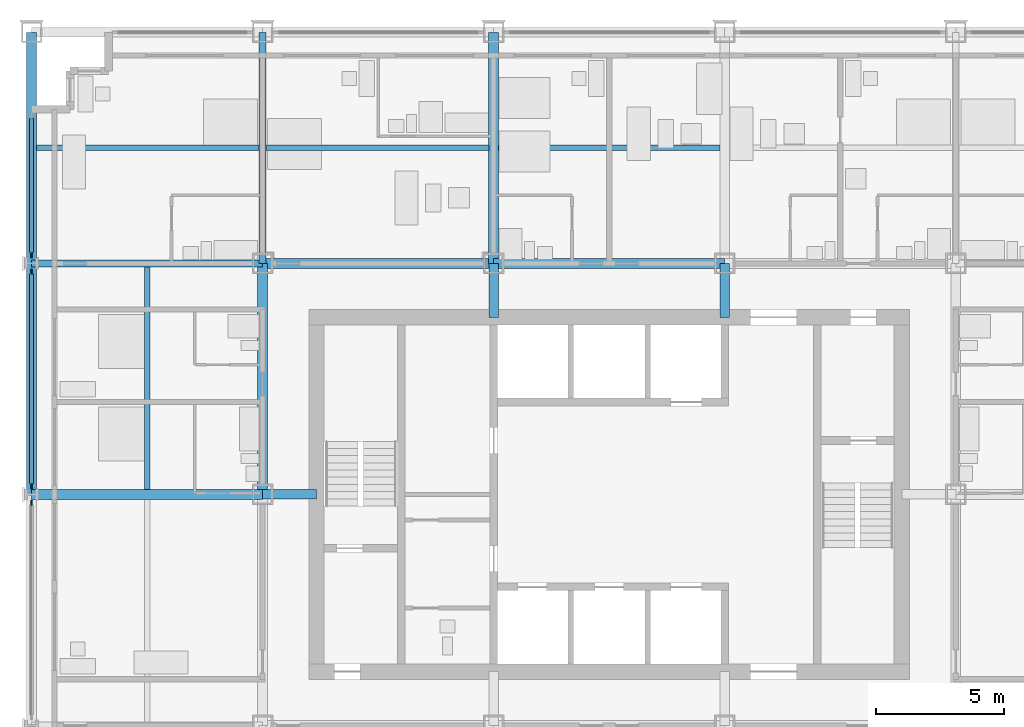
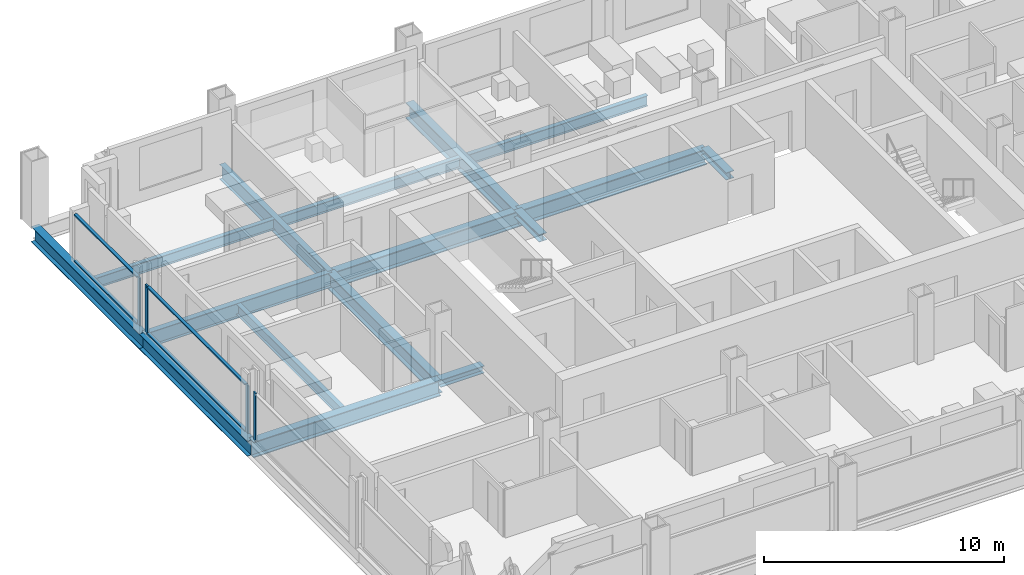
# One storey, part 4 of 16: 13 beams, 11 members, 3 elements without a shape of their own.
"""IFC4 building model written with IfcOpenShell, lengths in metres."""

from ifc_helpers import new_model, si_unit, direction, frame, origin, origin_2d, place, context, subcontext, project, spatial, rectangle, i_section, extrude, material, material_profile, profile_set, type_object, element, aggregate, save


model = new_model("IFC4")

# Units and contexts
model_context = context("Model", 3, precision=1e-05, world=origin(), true_north=direction((0.0, 1.0)))
body_context = subcontext(model_context, "Body", "Model", "MODEL_VIEW")
ifc_project = project(units=[si_unit("LENGTHUNIT", "METRE"), si_unit("AREAUNIT", "SQUARE_METRE"), si_unit("VOLUMEUNIT", "CUBIC_METRE"), si_unit("PLANEANGLEUNIT", "RADIAN"), si_unit("MASSUNIT", "GRAM", prefix="KILO")], contexts=[model_context])

# Site, building, storey
site_placement = place(None, origin())
site = spatial("IfcSite", under=ifc_project, at=site_placement, CompositionType="ELEMENT")
building_placement = place(site_placement, origin())
building = spatial("IfcBuilding", under=site, at=building_placement, Name="Loomwork Tower", CompositionType="ELEMENT")
storey_placement = place(building_placement, frame((0.0, 0.0, 148.60009765625)))
storey = spatial("IfcBuildingStorey", under=building, at=storey_placement, Name="L40", CompositionType="ELEMENT", Elevation=148.60009765625)

# Beams
ifc_material_1 = material(Name="Steel ASTM A992", Category="steel")
ifc_material_profile_1 = material_profile(ifc_material_1, i_section(OverallWidth=0.383544921875, OverallDepth=0.794921875, WebThickness=0.02099609375, FlangeThickness=0.0380859375, at=origin_2d()), Name="W30x235")
ifc_profile_set_1 = profile_set([ifc_material_profile_1], Name="Steel ASTM A992")
beam_type_1 = type_object("IfcBeamType", Name="CORE FLANK GIRDER W30x235", PredefinedType="BEAM", material=ifc_profile_set_1)
for number, where, z_axis, x_axis, name in (
    (1, (0.0, 18.0, -0.59765625), (1.0, 0.0, 0.0), (0.0, 1.0, 0.0), "Core Flank Girder F/2-F/3 L40"),
    (2, (9.0, 27.0, -0.59765625), (1.0, 0.0, 0.0), (0.0, 1.0, 0.0), "Core Flank Girder G/3-G/4 L40"),
    (3, (18.0, 27.0, -0.59765625), (1.0, 0.0, 0.0), (0.0, 1.0, 0.0), "Core Flank Girder G/4-G/5 L40"),
    (4, (9.0, 18.0, -0.59765625), (0.0, 1.0, 0.0), (-1.0, 0.0, 0.0), "Core Flank Girder F/3-G/3 L40"),
    (5, (18.0, 27.0, -0.59765625), (0.0, 1.0, 0.0), (-1.0, 0.0, 0.0), "Core Flank Girder G/4-H/4 L40"),
):
    element("IfcBeam", number, at=place(storey_placement, frame(where, z_axis=z_axis, x_axis=x_axis)), inside=storey, type_object=beam_type_1, Name=name, PredefinedType="BEAM", context=body_context, shape_type="SweptSolid", body=[
        extrude(i_section(OverallWidth=0.383544921875, OverallDepth=0.794921875, WebThickness=0.02099609375, FlangeThickness=0.0380859375, at=origin_2d()), origin(), (0.0, 0.0, 1.0), 9.0),
    ])

# Members
ifc_material_2 = material(Name="Steel ASTM A992", Category="steel")
ifc_material_profile_2 = material_profile(ifc_material_2, i_section(OverallWidth=0.373291015625, OverallDepth=0.373291015625, WebThickness=0.016357421875, FlangeThickness=0.026123046875, at=origin_2d()), Name="W14x132")
ifc_profile_set_2 = profile_set([ifc_material_profile_2], Name="Steel ASTM A992")
member_type_1 = type_object("IfcMemberType", Name="CORE LINK STRUT W14x132", PredefinedType="STRUT", material=ifc_profile_set_2)
for number, where, z_axis, x_axis, name in (
    (6, (27.0, 27.0, -0.38671875), (0.0, -1.0, 0.0), (1.0, 0.0, 0.0), "Core link strut G/5-27.000,24.900 L40"),
    (7, (18.0, 27.0, -0.38671875), (0.0, -1.0, 0.0), (1.0, 0.0, 0.0), "Core link strut G/4-18.000,24.900 L40"),
    (8, (9.0, 18.0, -0.38671875), (1.0, 0.0, 0.0), (0.0, 1.0, 0.0), "Core link strut F/3-11.100,18.000 L40"),
):
    element("IfcMember", number, at=place(storey_placement, frame(where, z_axis=z_axis, x_axis=x_axis)), inside=storey, type_object=member_type_1, Name=name, PredefinedType="STRUT", context=body_context, shape_type="SweptSolid", body=[
        extrude(i_section(OverallWidth=0.373291015625, OverallDepth=0.373291015625, WebThickness=0.016357421875, FlangeThickness=0.026123046875, at=origin_2d()), origin(), (0.0, 0.0, 1.0), 2.10009765625),
    ])

# Beams
ifc_material_3 = material(Name="Steel ASTM A992", Category="steel")
ifc_material_profile_3 = material_profile(ifc_material_3, i_section(OverallWidth=0.2666015625, OverallDepth=0.761962890625, WebThickness=0.014404296875, FlangeThickness=0.021484375, at=origin_2d()), Name="W30x116")
ifc_profile_set_3 = profile_set([ifc_material_profile_3], Name="Steel ASTM A992")
beam_type_2 = type_object("IfcBeamType", Name="FLOOR GIRDER W30x116", PredefinedType="BEAM", material=ifc_profile_set_3)
for number, where, z_axis, x_axis, name in (
    (9, (0.0, 27.0, -0.5810546875), (1.0, 0.0, 0.0), (0.0, 1.0, 0.0), "Floor Girder G/2-G/3 L40"),
    (10, (9.0, 27.0, -0.5810546875), (0.0, 1.0, 0.0), (-1.0, 0.0, 0.0), "Floor Girder G/3-H/3 L40"),
):
    element("IfcBeam", number, at=place(storey_placement, frame(where, z_axis=z_axis, x_axis=x_axis)), inside=storey, type_object=beam_type_2, Name=name, PredefinedType="BEAM", context=body_context, shape_type="SweptSolid", body=[
        extrude(i_section(OverallWidth=0.2666015625, OverallDepth=0.761962890625, WebThickness=0.014404296875, FlangeThickness=0.021484375, at=origin_2d()), origin(), (0.0, 0.0, 1.0), 9.0),
    ])
ifc_material_4 = material(Name="Steel ASTM A992", Category="steel")
ifc_material_profile_4 = material_profile(ifc_material_4, i_section(OverallWidth=0.2109375, OverallDepth=0.53857421875, WebThickness=0.011474609375, FlangeThickness=0.018798828125, at=origin_2d()), Name="W21x73")
ifc_profile_set_4 = profile_set([ifc_material_profile_4], Name="Steel ASTM A992")
beam_type_3 = type_object("IfcBeamType", Name="FLOOR JOIST W21x73", PredefinedType="JOIST", material=ifc_profile_set_4)
beam_1_placement = place(storey_placement, frame((4.5, 18.19091796875, -0.46923828125), z_axis=(0.0, 1.0, 0.0), x_axis=(-1.0, 0.0, 0.0)))
element("IfcBeam", 11, at=beam_1_placement, inside=storey, type_object=beam_type_3, Name="Floor Joist 4.500,18.000-4.500,27.000 L40", PredefinedType="JOIST", context=body_context, shape_type="SweptSolid", body=[
    extrude(i_section(OverallWidth=0.2109375, OverallDepth=0.53857421875, WebThickness=0.011474609375, FlangeThickness=0.018798828125, at=origin_2d()), origin(), (0.0, 0.0, 1.0), 8.676025390625),
])
beam_2_placement = place(storey_placement, frame((0.18994140625, 31.5, -0.46923828125), z_axis=(1.0, 0.0, 0.0), x_axis=(0.0, 1.0, 0.0)))
element("IfcBeam", 12, at=beam_2_placement, inside=storey, type_object=beam_type_3, Name="Floor Joist 0.000,31.500-9.000,31.500 L40", PredefinedType="JOIST", context=body_context, shape_type="SweptSolid", body=[
    extrude(i_section(OverallWidth=0.2109375, OverallDepth=0.53857421875, WebThickness=0.011474609375, FlangeThickness=0.018798828125, at=origin_2d()), origin(), (0.0, 0.0, 1.0), 8.677001953125),
])
beam_3_placement = place(storey_placement, frame((9.133056640625, 31.5, -0.46923828125), z_axis=(1.0, 0.0, 0.0), x_axis=(0.0, 1.0, 0.0)))
element("IfcBeam", 13, at=beam_3_placement, inside=storey, type_object=beam_type_3, Name="Floor Joist 9.000,31.500-18.000,31.500 L40", PredefinedType="JOIST", context=body_context, shape_type="SweptSolid", body=[
    extrude(i_section(OverallWidth=0.2109375, OverallDepth=0.53857421875, WebThickness=0.011474609375, FlangeThickness=0.018798828125, at=origin_2d()), origin(), (0.0, 0.0, 1.0), 8.676025390625),
])
beam_4_placement = place(storey_placement, frame((18.19091796875, 31.5, -0.46923828125), z_axis=(1.0, 0.0, 0.0), x_axis=(0.0, 1.0, 0.0)))
element("IfcBeam", 14, at=beam_4_placement, inside=storey, type_object=beam_type_3, Name="Floor Joist 18.000,31.500-27.000,31.500 L40", PredefinedType="JOIST", context=body_context, shape_type="SweptSolid", body=[
    extrude(i_section(OverallWidth=0.2109375, OverallDepth=0.53857421875, WebThickness=0.011474609375, FlangeThickness=0.018798828125, at=origin_2d()), origin(), (0.0, 0.0, 1.0), 8.6181640625),
])

# Curtain wall, member
ifc_material_5 = material(Name="Aluminium curtain wall frame", Category="aluminium")
curtain_wall_type = type_object("IfcCurtainWallType", Name="Outer skin glazing hotel", PredefinedType="NOTDEFINED", material=ifc_material_5)
curtain_wall_1_placement = place(storey_placement, origin())
curtain_wall_1 = element("IfcCurtainWall", 15, at=curtain_wall_1_placement, inside=storey, type_object=curtain_wall_type, Name="Outer skin glazing hotel cw/W-9", PredefinedType="NOTDEFINED")
ifc_material_6 = material(Name="Aluminium curtain wall frame", Category="aluminium")
ifc_material_profile_5 = material_profile(ifc_material_6, rectangle(XDim=0.06494140625, YDim=0.199951171875, at=origin_2d()), Name="AL 65x200")
ifc_profile_set_5 = profile_set([ifc_material_profile_5], Name="Aluminium curtain wall frame")
member_type_2 = type_object("IfcMemberType", Name="Outer skin glazing hotel mullion", PredefinedType="MULLION", material=ifc_profile_set_5)
member_1_placement = place(storey_placement, frame((0.0, 17.678955078125, 0.0), z_axis=(0.0, 0.0, 1.0), x_axis=(1.0, 0.0, 0.0)))
member_1 = element("IfcMember", 16, at=member_1_placement, type_object=member_type_2, Name="CW1 mullion 1", PredefinedType="MULLION", context=body_context, shape_type="SweptSolid", body=[
    extrude(rectangle(XDim=0.06494140625, YDim=0.199951171875, at=origin_2d()), origin(), (0.0, 0.0, 1.0), 2.420166015625),
])
aggregate(curtain_wall_1, [member_1])

# Curtain wall, members
curtain_wall_2_placement = place(storey_placement, origin())
curtain_wall_2 = element("IfcCurtainWall", 17, at=curtain_wall_2_placement, inside=storey, type_object=curtain_wall_type, Name="Outer skin glazing hotel cw/W-18", PredefinedType="NOTDEFINED")
member_2_placement = place(storey_placement, frame((0.0, 26.678955078125, 0.0), z_axis=(0.0, 0.0, 1.0), x_axis=(1.0, 0.0, 0.0)))
member_2 = element("IfcMember", 18, at=member_2_placement, type_object=member_type_2, Name="CW1 mullion 1", PredefinedType="MULLION", context=body_context, shape_type="SweptSolid", body=[
    extrude(rectangle(XDim=0.06494140625, YDim=0.199951171875, at=origin_2d()), origin(), (0.0, 0.0, 1.0), 2.420166015625),
])
member_3_placement = place(storey_placement, frame((0.0, 18.321044921875, 0.0), z_axis=(0.0, 0.0, 1.0), x_axis=(1.0, 0.0, 0.0)))
member_3 = element("IfcMember", 19, at=member_3_placement, type_object=member_type_2, Name="CW1 mullion 2", PredefinedType="MULLION", context=body_context, shape_type="SweptSolid", body=[
    extrude(rectangle(XDim=0.06494140625, YDim=0.199951171875, at=origin_2d()), origin(), (0.0, 0.0, 1.0), 2.420166015625),
])

# Curtain wall, member
curtain_wall_3_placement = place(storey_placement, origin())
curtain_wall_3 = element("IfcCurtainWall", 20, at=curtain_wall_3_placement, inside=storey, type_object=curtain_wall_type, Name="Outer skin glazing hotel cw/W-27", PredefinedType="NOTDEFINED")
member_4_placement = place(storey_placement, frame((0.0, 27.321044921875, 0.0), z_axis=(0.0, 0.0, 1.0), x_axis=(1.0, 0.0, 0.0)))
member_4 = element("IfcMember", 21, at=member_4_placement, type_object=member_type_2, Name="CW1 mullion 2", PredefinedType="MULLION", context=body_context, shape_type="SweptSolid", body=[
    extrude(rectangle(XDim=0.06494140625, YDim=0.199951171875, at=origin_2d()), origin(), (0.0, 0.0, 1.0), 2.420166015625),
])

# Member
ifc_material_7 = material(Name="Aluminium curtain wall frame", Category="aluminium")
ifc_material_profile_6 = material_profile(ifc_material_7, rectangle(XDim=0.14990234375, YDim=0.06494140625, at=origin_2d()), Name="AL 65x150")
ifc_profile_set_6 = profile_set([ifc_material_profile_6], Name="Aluminium curtain wall frame")
member_type_3 = type_object("IfcMemberType", Name="Outer skin glazing hotel transom", PredefinedType="USERDEFINED", material=ifc_profile_set_6)
member_5_placement = place(storey_placement, frame((0.0, 26.5791015625, 0.032470703125), z_axis=(0.0, -1.0, 0.0), x_axis=(1.0, 0.0, 0.0)))
member_5 = element("IfcMember", 22, at=member_5_placement, type_object=member_type_3, Name="CW1 transom 1.1", ObjectType="TRANSOM", PredefinedType="USERDEFINED", context=body_context, shape_type="SweptSolid", body=[
    extrude(rectangle(XDim=0.14990234375, YDim=0.06494140625, at=origin_2d()), origin(), (0.0, 0.0, 1.0), 8.158203125),
])

member_6_placement = place(storey_placement, frame((0.0, 26.5791015625, 2.3876953125), z_axis=(0.0, -1.0, 0.0), x_axis=(1.0, 0.0, 0.0)))
member_6 = element("IfcMember", 23, at=member_6_placement, type_object=member_type_3, Name="CW1 transom 1.2", ObjectType="TRANSOM", PredefinedType="USERDEFINED", context=body_context, shape_type="SweptSolid", body=[
    extrude(rectangle(XDim=0.14990234375, YDim=0.06494140625, at=origin_2d()), origin(), (0.0, 0.0, 1.0), 8.158203125),
])

aggregate(curtain_wall_2, [member_2, member_3, member_5, member_6])

member_7_placement = place(storey_placement, frame((0.0, 32.64990234375, 0.032470703125), z_axis=(0.0, -1.0, 0.0), x_axis=(1.0, 0.0, 0.0)))
member_7 = element("IfcMember", 24, at=member_7_placement, type_object=member_type_3, Name="CW1 transom 1.1", ObjectType="TRANSOM", PredefinedType="USERDEFINED", context=body_context, shape_type="SweptSolid", body=[
    extrude(rectangle(XDim=0.14990234375, YDim=0.06494140625, at=origin_2d()), origin(), (0.0, 0.0, 1.0), 5.22900390625),
])

member_8_placement = place(storey_placement, frame((0.0, 32.64990234375, 2.3876953125), z_axis=(0.0, -1.0, 0.0), x_axis=(1.0, 0.0, 0.0)))
member_8 = element("IfcMember", 25, at=member_8_placement, type_object=member_type_3, Name="CW1 transom 1.2", ObjectType="TRANSOM", PredefinedType="USERDEFINED", context=body_context, shape_type="SweptSolid", body=[
    extrude(rectangle(XDim=0.14990234375, YDim=0.06494140625, at=origin_2d()), origin(), (0.0, 0.0, 1.0), 5.22900390625),
])

aggregate(curtain_wall_3, [member_4, member_7, member_8])

# Beams
ifc_material_8 = material(Name="Steel ASTM A992", Category="steel")
ifc_material_profile_7 = material_profile(ifc_material_8, i_section(OverallWidth=0.381103515625, OverallDepth=0.77978515625, WebThickness=0.01806640625, FlangeThickness=0.0302734375, at=origin_2d()), Name="W30x191")
ifc_profile_set_7 = profile_set([ifc_material_profile_7], Name="Steel ASTM A992")
beam_type_4 = type_object("IfcBeamType", Name="SPANDREL GIRDER W30x191", PredefinedType="SPANDREL", material=ifc_profile_set_7)
for number, where, z_axis, x_axis, name in (
    (26, (0.0, 18.0, -0.590087890625), (0.0, 1.0, 0.0), (-1.0, 0.0, 0.0), "Spandrel Girder F/2-G/2 L40"),
    (27, (0.0, 27.0, -0.590087890625), (0.0, 1.0, 0.0), (-1.0, 0.0, 0.0), "Spandrel Girder G/2-H/2 L40"),
):
    element("IfcBeam", number, at=place(storey_placement, frame(where, z_axis=z_axis, x_axis=x_axis)), inside=storey, type_object=beam_type_4, Name=name, PredefinedType="SPANDREL", context=body_context, shape_type="SweptSolid", body=[
        extrude(i_section(OverallWidth=0.381103515625, OverallDepth=0.77978515625, WebThickness=0.01806640625, FlangeThickness=0.0302734375, at=origin_2d()), origin(), (0.0, 0.0, 1.0), 9.0),
    ])

save(model, "model.ifc")
